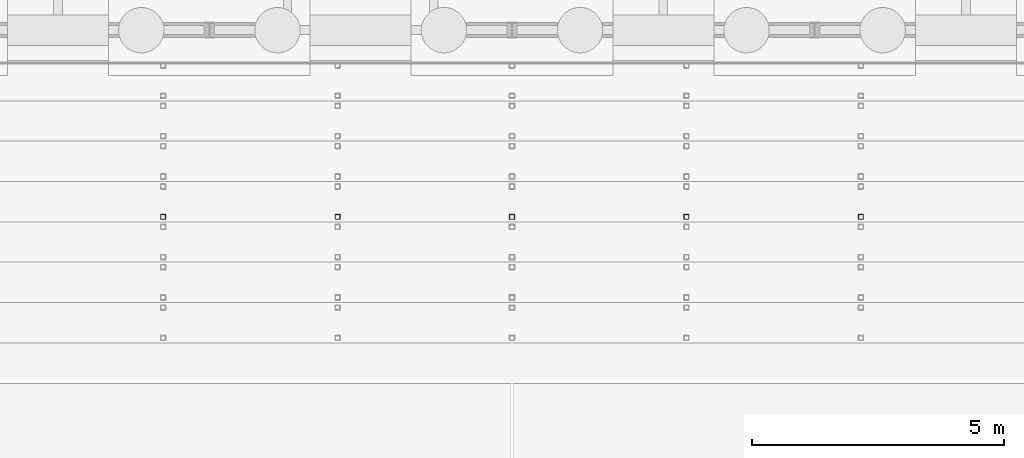
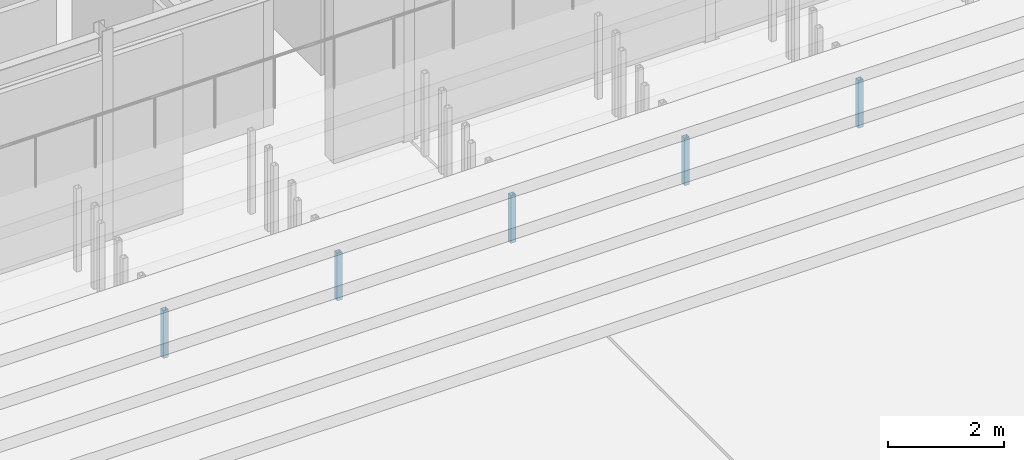
# One storey, part 51 of 139: 5 members.
"""IFC4 building model written with IfcOpenShell, lengths in metres."""

from ifc_helpers import new_model, si_unit, direction, frame, origin, origin_2d, place, context, subcontext, project, spatial, hollow_rectangle, extrude, material, material_profile, profile_set, type_object, element, save


model = new_model("IFC4")

# Units and contexts
model_context = context("Model", 3, precision=1e-05, world=origin(), true_north=direction((0.0, 1.0)))
body_context = subcontext(model_context, "Body", "Model", "MODEL_VIEW")
ifc_project = project(units=[si_unit("LENGTHUNIT", "METRE"), si_unit("AREAUNIT", "SQUARE_METRE"), si_unit("VOLUMEUNIT", "CUBIC_METRE"), si_unit("PLANEANGLEUNIT", "RADIAN"), si_unit("MASSUNIT", "GRAM", prefix="KILO")], contexts=[model_context])

# Site, building, storey
site_placement = place(None, origin())
site = spatial("IfcSite", under=ifc_project, at=site_placement, CompositionType="ELEMENT")
building_placement = place(site_placement, origin())
building = spatial("IfcBuilding", under=site, at=building_placement, Name="Verrick Yard Athletic Hall", CompositionType="ELEMENT")
storey_placement = place(building_placement, origin())
storey = spatial("IfcBuildingStorey", under=building, at=storey_placement, Name="L00", CompositionType="ELEMENT", Elevation=0.0)

# Members
ifc_material = material(Name="Structural steel HSS Class C 350W (CSA G40.20/G40.21)", Category="steel")
ifc_material_profile = material_profile(ifc_material, hollow_rectangle(XDim=0.1015625, YDim=0.1015625, WallThickness=0.00634765625, at=origin_2d()), Name="HSS102x102x6.4")
ifc_profile_set = profile_set([ifc_material_profile], Name="Structural steel HSS Class C 350W (CSA G40.20/G40.21)")
member_type = type_object("IfcMemberType", Name="HB seating post HSS102x102x6.4", PredefinedType="POST", material=ifc_profile_set)
for number, where, z_axis, x_axis, name in (
    (1, (138.68359375, 97.10009765625, 0.0), (0.0, 0.0, 1.0), (0.0, 1.0, 0.0), "HB-SP-RSA1-T5f5"),
    (2, (142.141845703125, 97.10009765625, 0.0), (0.0, 0.0, 1.0), (0.0, 1.0, 0.0), "HB-SP-RSA1-T5f6"),
    (3, (145.60009765625, 97.10009765625, 0.0), (0.0, 0.0, 1.0), (0.0, 1.0, 0.0), "HB-SP-RSA1-T5f7"),
    (4, (149.05810546875, 97.10009765625, 0.0), (0.0, 0.0, 1.0), (0.0, 1.0, 0.0), "HB-SP-RSA1-T5f8"),
    (5, (152.516357421875, 97.10009765625, 0.0), (0.0, 0.0, 1.0), (0.0, 1.0, 0.0), "HB-SP-RSA1-T5f9"),
):
    element("IfcMember", number, at=place(storey_placement, frame(where, z_axis=z_axis, x_axis=x_axis)), inside=storey, type_object=member_type, Name=name, PredefinedType="POST", context=body_context, shape_type="SweptSolid", body=[
        extrude(hollow_rectangle(XDim=0.1015625, YDim=0.1015625, WallThickness=0.00634765625, at=origin_2d()), origin(), (0.0, 0.0, 1.0), 1.0),
    ])

save(model, "model.ifc")
